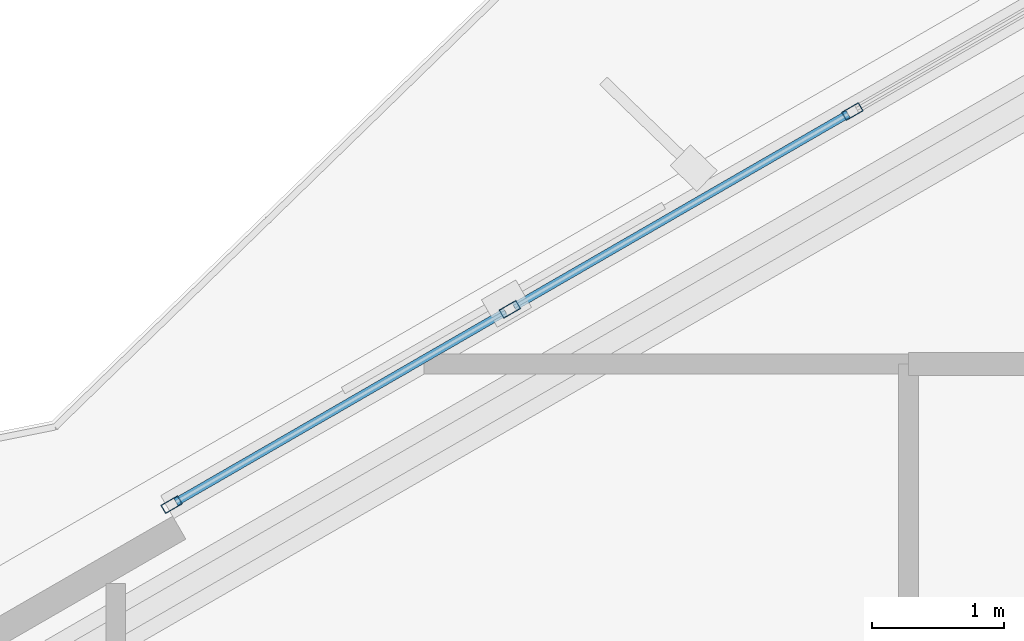
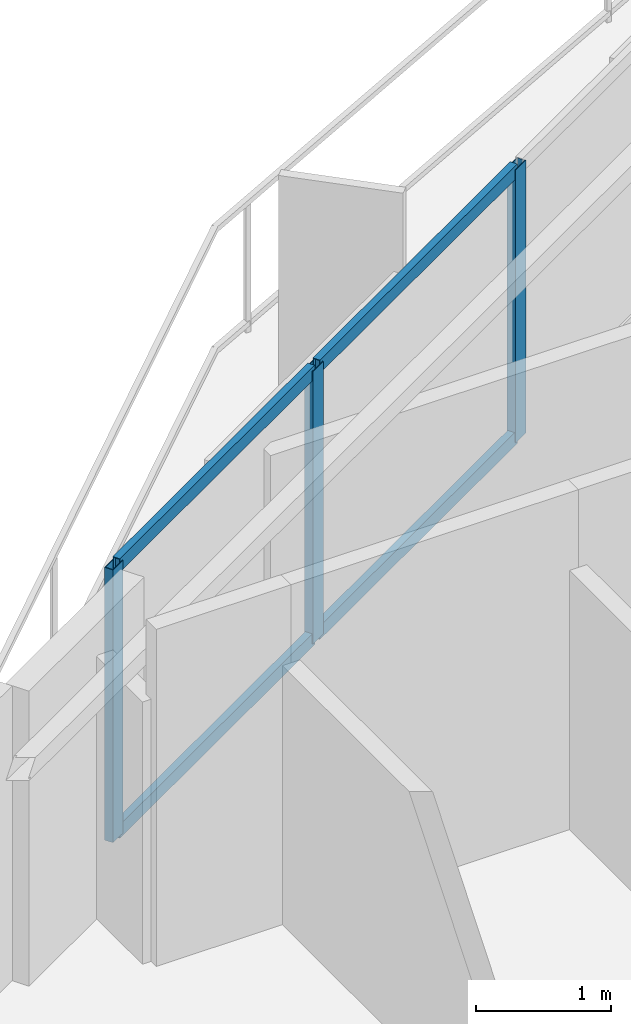
# One storey, part 7 of 19: 7 members, 1 element without a shape of its own.
"""IFC4 building model written with IfcOpenShell, lengths in metres."""

from ifc_helpers import new_model, si_unit, direction, frame, origin, origin_2d, place, context, subcontext, project, spatial, hollow_rectangle, extrude, material, layer, layer_set, material_profile, profile_set, type_object, element, aggregate, save


model = new_model("IFC4")

# Units and contexts
model_context = context("Model", 3, precision=1e-05, world=origin(), true_north=direction((0.0, 1.0)))
body_context = subcontext(model_context, "Body", "Model", "MODEL_VIEW")
ifc_project = project(units=[si_unit("LENGTHUNIT", "METRE"), si_unit("AREAUNIT", "SQUARE_METRE"), si_unit("VOLUMEUNIT", "CUBIC_METRE"), si_unit("PLANEANGLEUNIT", "RADIAN"), si_unit("MASSUNIT", "GRAM", prefix="KILO")], contexts=[model_context])

# Site, building, storey
site_placement = place(None, origin())
site = spatial("IfcSite", under=ifc_project, at=site_placement, CompositionType="ELEMENT")
building_placement = place(site_placement, origin())
building = spatial("IfcBuilding", under=site, at=building_placement, Name="Mersakhor Tower and Convention Hall", CompositionType="ELEMENT")
storey_placement = place(building_placement, frame((0.0, 0.0, 29.10009765625)))
storey = spatial("IfcBuildingStorey", under=building, at=storey_placement, Name="L07", CompositionType="ELEMENT", Elevation=29.10009765625)

# Curtain wall, members
ifc_material_1 = material(Name="Dark solar low-E aluminium curtain wall", Category="aluminium")
ifc_layer = layer(ifc_material_1, 0.159912109375)
ifc_layer_set = layer_set([ifc_layer], Name="Dark solar low-E aluminium curtain wall")
curtain_wall_type = type_object("IfcCurtainWallType", Name="CW-SYS-01", PredefinedType="USERDEFINED", material=ifc_layer_set)
curtain_wall_placement = place(storey_placement, origin())
curtain_wall = element("IfcCurtainWall", 1, at=curtain_wall_placement, inside=storey, type_object=curtain_wall_type, Name="L07 Dark-Glass Curtain Wall F1-B2", ObjectType="CURTAIN WALL", PredefinedType="USERDEFINED")
ifc_material_2 = material(Name="Anodised aluminium EN AW-6063 T6", Category="aluminium")
ifc_material_profile_1 = material_profile(ifc_material_2, hollow_rectangle(XDim=0.074951171875, YDim=0.14990234375, WallThickness=0.00634765625, at=origin_2d()), Name="RHS 150x75x6.3")
ifc_profile_set_1 = profile_set([ifc_material_profile_1], Name="Anodised aluminium EN AW-6063 T6")
member_type_1 = type_object("IfcMemberType", Name="CWM-150x75", PredefinedType="MULLION", material=ifc_profile_set_1)
member_1_placement = place(storey_placement, frame((16.423095703125, 36.635986328125, 0.199951171875), z_axis=(0.0, 0.0, 1.0), x_axis=(-0.50000344889, 0.866023412558, 0.0)))
member_1 = element("IfcMember", 2, at=member_1_placement, type_object=member_type_1, Name="CW-01 mullion 1", PredefinedType="MULLION", context=body_context, shape_type="SweptSolid", body=[
    extrude(hollow_rectangle(XDim=0.074951171875, YDim=0.14990234375, WallThickness=0.00634765625, at=origin_2d()), origin(), (0.0, 0.0, 1.0), 2.4599609375),
])
member_2_placement = place(storey_placement, frame((18.982666015625, 38.11376953125, 0.199951171875), z_axis=(0.0, 0.0, 1.0), x_axis=(-0.50000344889, 0.866023412558, 0.0)))
member_2 = element("IfcMember", 3, at=member_2_placement, type_object=member_type_1, Name="CW-01 mullion 2", PredefinedType="MULLION", context=body_context, shape_type="SweptSolid", body=[
    extrude(hollow_rectangle(XDim=0.074951171875, YDim=0.14990234375, WallThickness=0.00634765625, at=origin_2d()), origin(), (0.0, 0.0, 1.0), 2.4599609375),
])
member_3_placement = place(storey_placement, frame((21.574951171875, 39.610595703125, 0.199951171875), z_axis=(0.0, 0.0, 1.0), x_axis=(-0.50000344889, 0.866023412558, 0.0)))
member_3 = element("IfcMember", 4, at=member_3_placement, type_object=member_type_1, Name="CW-01 mullion 3", PredefinedType="MULLION", context=body_context, shape_type="SweptSolid", body=[
    extrude(hollow_rectangle(XDim=0.074951171875, YDim=0.14990234375, WallThickness=0.00634765625, at=origin_2d()), origin(), (0.0, 0.0, 1.0), 2.4599609375),
])
ifc_material_3 = material(Name="Anodised aluminium EN AW-6063 T6", Category="aluminium")
ifc_material_profile_2 = material_profile(ifc_material_3, hollow_rectangle(XDim=0.06005859375, YDim=0.1201171875, WallThickness=0.0048828125, at=origin_2d()), Name="RHS 120x60x5")
ifc_profile_set_2 = profile_set([ifc_material_profile_2], Name="Anodised aluminium EN AW-6063 T6")
member_type_2 = type_object("IfcMemberType", Name="CWT-120x60", PredefinedType="USERDEFINED", material=ifc_profile_set_2)
member_4_placement = place(storey_placement, frame((16.45556640625, 36.65478515625, 0.22998046875), z_axis=(0.866002100865, 0.500040359669, 0.0), x_axis=(-0.500040359669, 0.866002100865, 0.0)))
member_4 = element("IfcMember", 5, at=member_4_placement, type_object=member_type_2, Name="CW-01 transom 1.1", ObjectType="TRANSOM", PredefinedType="USERDEFINED", context=body_context, shape_type="SweptSolid", body=[
    extrude(hollow_rectangle(XDim=0.06005859375, YDim=0.1201171875, WallThickness=0.0048828125, at=origin_2d()), origin(), (0.0, 0.0, 1.0), 2.880615234375),
])
member_5_placement = place(storey_placement, frame((16.45556640625, 36.65478515625, 2.6298828125), z_axis=(0.866002100865, 0.500040359669, 0.0), x_axis=(-0.500040359669, 0.866002100865, 0.0)))
member_5 = element("IfcMember", 6, at=member_5_placement, type_object=member_type_2, Name="CW-01 transom 1.2", ObjectType="TRANSOM", PredefinedType="USERDEFINED", context=body_context, shape_type="SweptSolid", body=[
    extrude(hollow_rectangle(XDim=0.06005859375, YDim=0.1201171875, WallThickness=0.0048828125, at=origin_2d()), origin(), (0.0, 0.0, 1.0), 2.880615234375),
])
member_6_placement = place(storey_placement, frame((19.01513671875, 38.132568359375, 0.22998046875), z_axis=(0.866015622527, 0.500016941252, 0.0), x_axis=(-0.500016941252, 0.866015622527, 0.0)))
member_6 = element("IfcMember", 7, at=member_6_placement, type_object=member_type_2, Name="CW-01 transom 2.1", ObjectType="TRANSOM", PredefinedType="USERDEFINED", context=body_context, shape_type="SweptSolid", body=[
    extrude(hollow_rectangle(XDim=0.06005859375, YDim=0.1201171875, WallThickness=0.0048828125, at=origin_2d()), origin(), (0.0, 0.0, 1.0), 2.91845703125),
])
member_7_placement = place(storey_placement, frame((19.01513671875, 38.132568359375, 2.6298828125), z_axis=(0.866015622527, 0.500016941252, 0.0), x_axis=(-0.500016941252, 0.866015622527, 0.0)))
member_7 = element("IfcMember", 8, at=member_7_placement, type_object=member_type_2, Name="CW-01 transom 2.2", ObjectType="TRANSOM", PredefinedType="USERDEFINED", context=body_context, shape_type="SweptSolid", body=[
    extrude(hollow_rectangle(XDim=0.06005859375, YDim=0.1201171875, WallThickness=0.0048828125, at=origin_2d()), origin(), (0.0, 0.0, 1.0), 2.91845703125),
])
aggregate(curtain_wall, [member_1, member_2, member_3, member_4, member_5, member_6, member_7])

save(model, "model.ifc")
